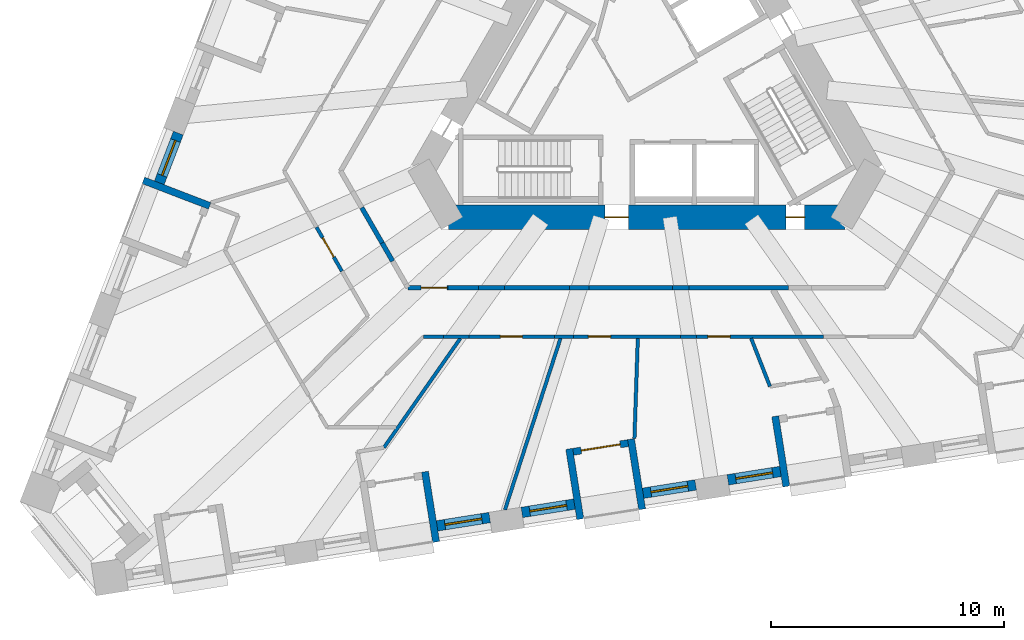
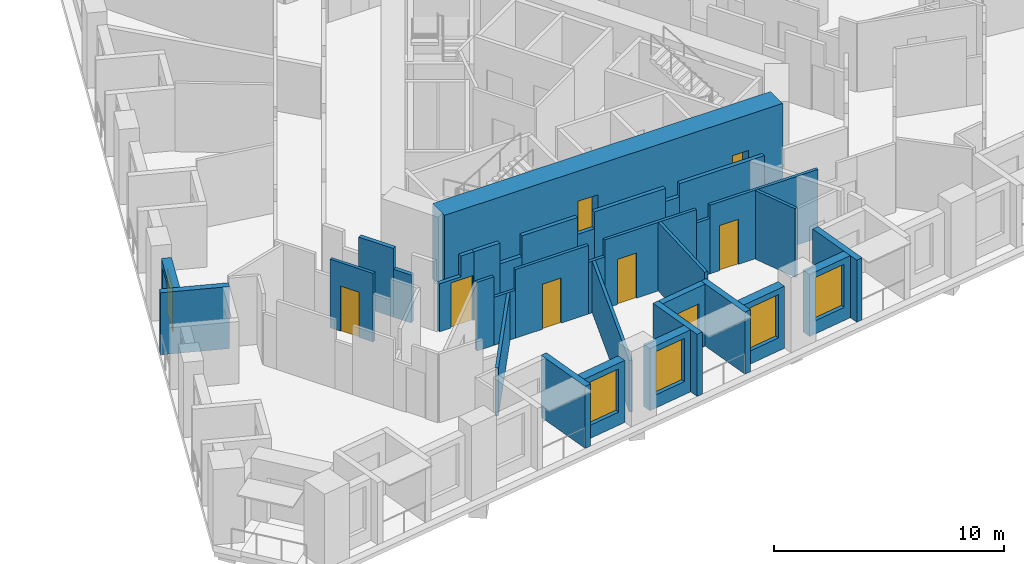
# One storey, part 3 of 14: 34 walls, 8 doors, 5 windows, 13 openings.
"""IFC4 building model written with IfcOpenShell, lengths in metres."""

from ifc_helpers import new_model, si_unit, direction, frame, frame_2d, origin, place, context, subcontext, project, spatial, polyline, rectangle, outline, extrude, material, layer, layer_set, type_object, element, fill, save


model = new_model("IFC4")

# Units and contexts
model_context = context("Model", 3, precision=1e-05, world=origin(), true_north=direction((0.0, 1.0)))
body_context = subcontext(model_context, "Body", "Model", "MODEL_VIEW")
ifc_project = project(units=[si_unit("LENGTHUNIT", "METRE"), si_unit("AREAUNIT", "SQUARE_METRE"), si_unit("VOLUMEUNIT", "CUBIC_METRE"), si_unit("PLANEANGLEUNIT", "RADIAN"), si_unit("MASSUNIT", "GRAM", prefix="KILO")], contexts=[model_context])

# Site, building, storey
site_placement = place(None, origin())
site = spatial("IfcSite", under=ifc_project, at=site_placement, CompositionType="ELEMENT")
building_placement = place(site_placement, origin())
building = spatial("IfcBuilding", under=site, at=building_placement, Name="Tramontana Tower", CompositionType="ELEMENT")
storey_placement = place(building_placement, frame((0.0, 0.0, 79.199951171875)))
storey = spatial("IfcBuildingStorey", under=building, at=storey_placement, Name="L17", CompositionType="ELEMENT", Elevation=79.199951171875)

# Wall, openings, doors
ifc_material_1 = material(Name="Concrete 70 MPa", Category="concrete")
ifc_layer_1 = layer(ifc_material_1, 1.050048828125)
ifc_layer_set_1 = layer_set([ifc_layer_1], Name="Core wall 1050 70 MPa")
wall_type_1 = type_object("IfcWallType", Name="Core wall 1050 70 MPa", PredefinedType="SHEAR", material=ifc_layer_set_1)
wall_1_placement = place(storey_placement, frame((-8.50146484375, -6.22509765625, 0.0), z_axis=(0.0, 0.0, 1.0), x_axis=(1.0, 0.0, 0.0)))
wall_1 = element("IfcWall", 1, at=wall_1_placement, inside=storey, type_object=wall_type_1, Name="Core wall C3 L17", PredefinedType="SHEAR", context=body_context, shape_type="SweptSolid", body=[
    extrude(rectangle(XDim=17.0029296875, YDim=1.050048828125, at=frame_2d((8.50146484375, 0.0))), origin(), (0.0, 0.0, 1.0), 4.0),
])
opening_1_placement = place(wall_1_placement, frame((6.70654296875, 0.0, 0.0)))
opening_1 = element("IfcOpeningElement", 2, at=opening_1_placement, cuts=wall_1, Name="Opening RG2", PredefinedType="OPENING", context=body_context, shape_type="SweptSolid", body=[
    extrude(rectangle(XDim=1.0, YDim=2.39990234375, at=frame_2d((0.5, 1.199951171875))), frame((0.0, 0.534912109375, 0.0), z_axis=(0.0, -1.0, 0.0), x_axis=(1.0, 0.0, 0.0)), (0.0, 0.0, 1.0), 1.070068359375),
])
opening_2_placement = place(wall_1_placement, frame((14.472412109375, 0.0, 0.0)))
opening_2 = element("IfcOpeningElement", 3, at=opening_2_placement, cuts=wall_1, Name="Opening PD2", PredefinedType="OPENING", context=body_context, shape_type="SweptSolid", body=[
    extrude(rectangle(XDim=0.800048828125, YDim=2.10009765625, at=frame_2d((0.39990234375, 1.050048828125))), frame((0.0, 0.534912109375, 0.0), z_axis=(0.0, -1.0, 0.0), x_axis=(1.0, 0.0, 0.0)), (0.0, 0.0, 1.0), 1.070068359375),
])
ifc_material_2 = material(Name="Painted steel", Category="steel")
door_type_1 = type_object("IfcDoorType", Name="CUPBOARD DOOR 800", OperationType="SINGLE_SWING_LEFT", PredefinedType="DOOR", material=ifc_material_2)
door_1_placement = place(opening_2_placement, origin())
door_1 = element("IfcDoor", 4, at=door_1_placement, inside=storey, type_object=door_type_1, Name="Door PD2", OperationType="SINGLE_SWING_RIGHT", OverallHeight=2.10009765625, OverallWidth=0.800048828125, PredefinedType="DOOR", context=body_context, shape_type="SweptSolid", body=[
    extrude(rectangle(XDim=0.800048828125, YDim=2.10009765625, at=frame_2d((0.39990234375, 1.050048828125))), frame((0.0, 0.02490234375, 0.0), z_axis=(0.0, -1.0, 0.0), x_axis=(1.0, 0.0, 0.0)), (0.0, 0.0, 1.0), 0.050048828125),
])
fill(opening_2, door_1)
ifc_material_3 = material(Name="Painted steel", Category="steel")
door_type_2 = type_object("IfcDoorType", Name="RING DOOR 1000", OperationType="SINGLE_SWING_LEFT", PredefinedType="DOOR", material=ifc_material_3)
door_2_placement = place(opening_1_placement, origin())
door_2 = element("IfcDoor", 5, at=door_2_placement, inside=storey, type_object=door_type_2, Name="Door RG2", OperationType="SINGLE_SWING_LEFT", OverallHeight=2.39990234375, OverallWidth=1.0, PredefinedType="DOOR", context=body_context, shape_type="SweptSolid", body=[
    extrude(rectangle(XDim=1.0, YDim=2.39990234375, at=frame_2d((0.5, 1.199951171875))), frame((0.0, 0.02490234375, 0.0), z_axis=(0.0, -1.0, 0.0), x_axis=(1.0, 0.0, 0.0)), (0.0, 0.0, 1.0), 0.050048828125),
])
fill(opening_1, door_2)

# Walls
ifc_material_4 = material(Name="Blockwork", Category="masonry")
ifc_layer_2 = layer(ifc_material_4, 0.199951171875)
ifc_layer_set_2 = layer_set([ifc_layer_2], Name="ENTRY WALL 200")
wall_type_2 = type_object("IfcWallType", Name="ENTRY WALL 200", PredefinedType="SOLIDWALL", material=ifc_layer_set_2)
wall_2_placement = place(storey_placement, frame((6.076171875, -9.25, 0.0), z_axis=(0.0, 0.0, 1.0), x_axis=(-1.0, 0.0, 0.0)))
element("IfcWall", 6, at=wall_2_placement, inside=storey, type_object=wall_type_2, Name="Wall v12-ew2-2", PredefinedType="SOLIDWALL", context=body_context, shape_type="SweptSolid", body=[
    extrude(rectangle(XDim=4.2568359375, YDim=0.199951171875, at=frame_2d((2.12841796875, 0.0))), origin(), (0.0, 0.0, 1.0), 3.650146484375),
])
wall_3_placement = place(storey_placement, frame((1.8193359375, -9.25, 0.0), z_axis=(0.0, 0.0, 1.0), x_axis=(-1.0, 0.0, 0.0)))
element("IfcWall", 7, at=wall_3_placement, inside=storey, type_object=wall_type_2, Name="Wall v12-ew2-3", PredefinedType="SOLIDWALL", context=body_context, shape_type="SweptSolid", body=[
    extrude(rectangle(XDim=0.708740234375, YDim=0.199951171875, at=frame_2d((0.3544921875, 0.0))), origin(), (0.0, 0.0, 1.0), 2.949951171875),
])
wall_4_placement = place(storey_placement, frame((1.110595703125, -9.25, 0.0), z_axis=(0.0, 0.0, 1.0), x_axis=(-1.0, 0.0, 0.0)))
element("IfcWall", 8, at=wall_4_placement, inside=storey, type_object=wall_type_2, Name="Wall v12-ew2-4", PredefinedType="SOLIDWALL", context=body_context, shape_type="SweptSolid", body=[
    extrude(rectangle(XDim=3.585205078125, YDim=0.199951171875, at=frame_2d((1.79248046875, 0.0))), origin(), (0.0, 0.0, 1.0), 3.650146484375),
])
wall_5_placement = place(storey_placement, frame((-2.474609375, -9.25, 0.0), z_axis=(0.0, 0.0, 1.0), x_axis=(-1.0, 0.0, 0.0)))
element("IfcWall", 9, at=wall_5_placement, inside=storey, type_object=wall_type_2, Name="Wall v12-ew2-5", PredefinedType="SOLIDWALL", context=body_context, shape_type="SweptSolid", body=[
    extrude(rectangle(XDim=0.838134765625, YDim=0.199951171875, at=frame_2d((0.4189453125, 0.0))), origin(), (0.0, 0.0, 1.0), 2.75),
])
wall_6_placement = place(storey_placement, frame((-3.312744140625, -9.25, 0.0), z_axis=(0.0, 0.0, 1.0), x_axis=(-1.0, 0.0, 0.0)))
element("IfcWall", 10, at=wall_6_placement, inside=storey, type_object=wall_type_2, Name="Wall v12-ew2-6", PredefinedType="SOLIDWALL", context=body_context, shape_type="SweptSolid", body=[
    extrude(rectangle(XDim=2.793701171875, YDim=0.199951171875, at=frame_2d((1.39697265625, 0.0))), origin(), (0.0, 0.0, 1.0), 3.650146484375),
])
wall_7_placement = place(storey_placement, frame((-6.1064453125, -9.25, 0.0), z_axis=(0.0, 0.0, 1.0), x_axis=(-1.0, 0.0, 0.0)))
element("IfcWall", 11, at=wall_7_placement, inside=storey, type_object=wall_type_2, Name="Wall v12-ew2-7", PredefinedType="SOLIDWALL", context=body_context, shape_type="SweptSolid", body=[
    extrude(rectangle(XDim=1.10888671875, YDim=0.199951171875, at=frame_2d((0.554443359375, 0.0))), origin(), (0.0, 0.0, 1.0), 2.550048828125),
])
wall_8_placement = place(storey_placement, frame((-7.21533203125, -9.25, 0.0), z_axis=(0.0, 0.0, 1.0), x_axis=(-1.0, 0.0, 0.0)))
element("IfcWall", 12, at=wall_8_placement, inside=storey, type_object=wall_type_2, Name="Wall v12-ew2-8", PredefinedType="SOLIDWALL", context=body_context, shape_type="SweptSolid", body=[
    extrude(rectangle(XDim=1.3125, YDim=0.199951171875, at=frame_2d((0.65625, 0.0))), origin(), (0.0, 0.0, 1.0), 3.650146484375),
])

# Wall, opening, door
wall_9_placement = place(storey_placement, frame((-10.248046875, -9.25, 0.0), z_axis=(0.0, 0.0, 1.0), x_axis=(1.0, 0.0, 0.0)))
wall_9 = element("IfcWall", 13, at=wall_9_placement, inside=storey, type_object=wall_type_2, Name="Wall v12-ew2-9", PredefinedType="SOLIDWALL", context=body_context, shape_type="SweptSolid", body=[
    extrude(outline(polyline([(0.0, 0.0), (1.72021484375, 0.0), (1.72021484375, 3.650146484375), (1.0703125, 3.650146484375), (1.0703125, 2.550048828125), (0.0, 2.550048828125), (0.0, 0.0)])), frame((0.0, 0.10009765625, 0.0), z_axis=(0.0, -1.0, 0.0), x_axis=(1.0, 0.0, 0.0)), (0.0, 0.0, 1.0), 0.199951171875),
])
opening_3_placement = place(wall_9_placement, frame((0.570068359375, 0.0, 0.0)))
opening_3 = element("IfcOpeningElement", 14, at=opening_3_placement, cuts=wall_9, Name="Opening B1C-25", PredefinedType="OPENING", context=body_context, shape_type="SweptSolid", body=[
    extrude(rectangle(XDim=1.10009765625, YDim=2.39990234375, at=frame_2d((0.550048828125, 1.199951171875))), frame((0.0, 0.10986328125, 0.0), z_axis=(0.0, -1.0, 0.0), x_axis=(1.0, 0.0, 0.0)), (0.0, 0.0, 1.0), 0.219970703125),
])
ifc_material_5 = material(Name="Painted timber", Category="wood")
door_type_3 = type_object("IfcDoorType", Name="DOOR ENTRY 1100", OperationType="SINGLE_SWING_LEFT", PredefinedType="DOOR", material=ifc_material_5)
door_3_placement = place(opening_3_placement, origin())
door_3 = element("IfcDoor", 15, at=door_3_placement, inside=storey, type_object=door_type_3, Name="Door B1C-25", OperationType="SINGLE_SWING_LEFT", OverallHeight=2.39990234375, OverallWidth=1.10009765625, PredefinedType="DOOR", context=body_context, shape_type="SweptSolid", body=[
    extrude(rectangle(XDim=1.10009765625, YDim=2.39990234375, at=frame_2d((0.550048828125, 1.199951171875))), frame((0.0, 0.02490234375, 0.0), z_axis=(0.0, -1.0, 0.0), x_axis=(1.0, 0.0, 0.0)), (0.0, 0.0, 1.0), 0.050048828125),
])
fill(opening_3, door_3)

# Walls
wall_10_placement = place(storey_placement, frame((-10.904296875, -8.11328125, 0.0), z_axis=(0.0, 0.0, 1.0), x_axis=(-0.499948710669, 0.866055013668, 0.0)))
element("IfcWall", 16, at=wall_10_placement, inside=storey, type_object=wall_type_2, Name="Wall v12-ew3-2", PredefinedType="SOLIDWALL", context=body_context, shape_type="SweptSolid", body=[
    extrude(rectangle(XDim=0.90283203125, YDim=0.199951171875, at=frame_2d((0.451416015625, 0.0))), origin(), (0.0, 0.0, 1.0), 2.550048828125),
])
wall_11_placement = place(storey_placement, frame((-11.355712890625, -7.331298828125, 0.0), z_axis=(0.0, 0.0, 1.0), x_axis=(-0.50000494408, 0.866022549299, 0.0)))
element("IfcWall", 17, at=wall_11_placement, inside=storey, type_object=wall_type_2, Name="Wall v12-ew3-3", PredefinedType="SOLIDWALL", context=body_context, shape_type="SweptSolid", body=[
    extrude(rectangle(XDim=1.74560546875, YDim=0.199951171875, at=frame_2d((0.872802734375, 0.0))), origin(), (0.0, 0.0, 1.0), 3.650146484375),
])

# Wall, opening, window
ifc_material_6 = material(Name="Precast concrete 60 MPa", Category="concrete")
ifc_layer_3 = layer(ifc_material_6, 0.449951171875)
ifc_layer_set_3 = layer_set([ifc_layer_3], Name="Precast concrete 60 MPa, 450 mm")
wall_type_3 = type_object("IfcWallType", Name="EW1 Stone-faced precast wall 450", PredefinedType="SOLIDWALL", material=ifc_layer_set_3)
wall_12_placement = place(storey_placement, frame((-20.098876953125, -2.6201171875, 0.0), z_axis=(0.0, 0.0, 1.0), x_axis=(-0.358355550725, -0.933585185864, 0.0)))
wall_12 = element("IfcWall", 18, at=wall_12_placement, inside=storey, type_object=wall_type_3, Name="External wall L17 face 0 bay 5", PredefinedType="SOLIDWALL", context=body_context, shape_type="SweptSolid", body=[
    extrude(rectangle(XDim=2.282958984375, YDim=0.449951171875, at=frame_2d((1.1416015625, 0.0))), origin(), (0.0, 0.0, 1.0), 3.300048828125),
])
opening_4_placement = place(wall_12_placement, frame((0.341552734375, 0.0, 0.699951171875)))
opening_4 = element("IfcOpeningElement", 19, at=opening_4_placement, cuts=wall_12, Name="Opening M1", PredefinedType="OPENING", context=body_context, shape_type="SweptSolid", body=[
    extrude(rectangle(XDim=1.60009765625, YDim=2.300048828125, at=frame_2d((0.800048828125, 1.14990234375))), frame((0.0, 0.23486328125, 0.0), z_axis=(0.0, -1.0, 0.0), x_axis=(1.0, 0.0, 0.0)), (0.0, 0.0, 1.0), 0.469970703125),
])
ifc_material_7 = material(Name="Aluminum frame, double glazing unit", Category="aluminium")
window_type = type_object("IfcWindowType", Name="M1 Window 1.6 x 2.3", PartitioningType="SINGLE_PANEL", PredefinedType="WINDOW", material=ifc_material_7)
window_1_placement = place(opening_4_placement, origin())
window_1 = element("IfcWindow", 20, at=window_1_placement, inside=storey, type_object=window_type, Name="Window M1 L17 face 0 module 13", OverallHeight=2.300048828125, OverallWidth=1.60009765625, PartitioningType="SINGLE_PANEL", PredefinedType="WINDOW", context=body_context, shape_type="SweptSolid", body=[
    extrude(rectangle(XDim=1.60009765625, YDim=2.300048828125, at=frame_2d((0.800048828125, 1.14990234375))), frame((0.0, 0.030029296875, 0.0), z_axis=(0.0, -1.0, 0.0), x_axis=(1.0, 0.0, 0.0)), (0.0, 0.0, 1.0), 0.06005859375),
])
fill(opening_4, window_1)

wall_13_placement = place(storey_placement, frame((-8.99658203125, -19.47216796875, 0.0), z_axis=(0.0, 0.0, 1.0), x_axis=(0.987685675151, 0.156451293065, 0.0)))
wall_13 = element("IfcWall", 21, at=wall_13_placement, inside=storey, type_object=wall_type_3, Name="External wall L17 face 1 bay 2", PredefinedType="SOLIDWALL", context=body_context, shape_type="SweptSolid", body=[
    extrude(rectangle(XDim=2.282958984375, YDim=0.449951171875, at=frame_2d((1.1416015625, 0.0))), origin(), (0.0, 0.0, 1.0), 3.300048828125),
])
opening_5_placement = place(wall_13_placement, frame((0.341552734375, 0.0, 0.699951171875)))
opening_5 = element("IfcOpeningElement", 22, at=opening_5_placement, cuts=wall_13, Name="Opening M1", PredefinedType="OPENING", context=body_context, shape_type="SweptSolid", body=[
    extrude(rectangle(XDim=1.60009765625, YDim=2.300048828125, at=frame_2d((0.800048828125, 1.14990234375))), frame((0.0, 0.23486328125, 0.0), z_axis=(0.0, -1.0, 0.0), x_axis=(1.0, 0.0, 0.0)), (0.0, 0.0, 1.0), 0.469970703125),
])
window_2_placement = place(opening_5_placement, origin())
window_2 = element("IfcWindow", 23, at=window_2_placement, inside=storey, type_object=window_type, Name="Window M1 L17 face 1 module 6", OverallHeight=2.300048828125, OverallWidth=1.60009765625, PartitioningType="SINGLE_PANEL", PredefinedType="WINDOW", context=body_context, shape_type="SweptSolid", body=[
    extrude(rectangle(XDim=1.60009765625, YDim=2.300048828125, at=frame_2d((0.800048828125, 1.14990234375))), frame((0.0, 0.030029296875, 0.0), z_axis=(0.0, -1.0, 0.0), x_axis=(1.0, 0.0, 0.0)), (0.0, 0.0, 1.0), 0.06005859375),
])
fill(opening_5, window_2)

wall_14_placement = place(storey_placement, frame((-5.35888671875, -18.89599609375, 0.0), z_axis=(0.0, 0.0, 1.0), x_axis=(0.987685675151, 0.156451293065, 0.0)))
wall_14 = element("IfcWall", 24, at=wall_14_placement, inside=storey, type_object=wall_type_3, Name="External wall L17 face 1 bay 3", PredefinedType="SOLIDWALL", context=body_context, shape_type="SweptSolid", body=[
    extrude(rectangle(XDim=2.282958984375, YDim=0.449951171875, at=frame_2d((1.1416015625, 0.0))), origin(), (0.0, 0.0, 1.0), 3.300048828125),
])
opening_6_placement = place(wall_14_placement, frame((0.341552734375, 0.0, 0.699951171875)))
opening_6 = element("IfcOpeningElement", 25, at=opening_6_placement, cuts=wall_14, Name="Opening M1", PredefinedType="OPENING", context=body_context, shape_type="SweptSolid", body=[
    extrude(rectangle(XDim=1.60009765625, YDim=2.300048828125, at=frame_2d((0.800048828125, 1.14990234375))), frame((0.0, 0.23486328125, 0.0), z_axis=(0.0, -1.0, 0.0), x_axis=(1.0, 0.0, 0.0)), (0.0, 0.0, 1.0), 0.469970703125),
])
window_3_placement = place(opening_6_placement, origin())
window_3 = element("IfcWindow", 26, at=window_3_placement, inside=storey, type_object=window_type, Name="Window M1 L17 face 1 module 7", OverallHeight=2.300048828125, OverallWidth=1.60009765625, PartitioningType="SINGLE_PANEL", PredefinedType="WINDOW", context=body_context, shape_type="SweptSolid", body=[
    extrude(rectangle(XDim=1.60009765625, YDim=2.300048828125, at=frame_2d((0.800048828125, 1.14990234375))), frame((0.0, 0.030029296875, 0.0), z_axis=(0.0, -1.0, 0.0), x_axis=(1.0, 0.0, 0.0)), (0.0, 0.0, 1.0), 0.06005859375),
])
fill(opening_6, window_3)

wall_15_placement = place(storey_placement, frame((-0.15771484375, -18.072265625, 0.0), z_axis=(0.0, 0.0, 1.0), x_axis=(0.987685675151, 0.156451293065, 0.0)))
wall_15 = element("IfcWall", 27, at=wall_15_placement, inside=storey, type_object=wall_type_3, Name="External wall L17 face 1 bay 3", PredefinedType="SOLIDWALL", context=body_context, shape_type="SweptSolid", body=[
    extrude(rectangle(XDim=2.282958984375, YDim=0.449951171875, at=frame_2d((1.1416015625, 0.0))), origin(), (0.0, 0.0, 1.0), 3.300048828125),
])
opening_7_placement = place(wall_15_placement, frame((0.341552734375, 0.0, 0.699951171875)))
opening_7 = element("IfcOpeningElement", 28, at=opening_7_placement, cuts=wall_15, Name="Opening M1", PredefinedType="OPENING", context=body_context, shape_type="SweptSolid", body=[
    extrude(rectangle(XDim=1.60009765625, YDim=2.300048828125, at=frame_2d((0.800048828125, 1.14990234375))), frame((0.0, 0.23486328125, 0.0), z_axis=(0.0, -1.0, 0.0), x_axis=(1.0, 0.0, 0.0)), (0.0, 0.0, 1.0), 0.469970703125),
])
window_4_placement = place(opening_7_placement, origin())
window_4 = element("IfcWindow", 29, at=window_4_placement, inside=storey, type_object=window_type, Name="Window M1 L17 face 1 module 9", OverallHeight=2.300048828125, OverallWidth=1.60009765625, PartitioningType="SINGLE_PANEL", PredefinedType="WINDOW", context=body_context, shape_type="SweptSolid", body=[
    extrude(rectangle(XDim=1.60009765625, YDim=2.300048828125, at=frame_2d((0.800048828125, 1.14990234375))), frame((0.0, 0.030029296875, 0.0), z_axis=(0.0, -1.0, 0.0), x_axis=(1.0, 0.0, 0.0)), (0.0, 0.0, 1.0), 0.06005859375),
])
fill(opening_7, window_4)

wall_16_placement = place(storey_placement, frame((3.479736328125, -17.49609375, 0.0), z_axis=(0.0, 0.0, 1.0), x_axis=(0.987685675151, 0.156451293065, 0.0)))
wall_16 = element("IfcWall", 30, at=wall_16_placement, inside=storey, type_object=wall_type_3, Name="External wall L17 face 1 bay 4", PredefinedType="SOLIDWALL", context=body_context, shape_type="SweptSolid", body=[
    extrude(rectangle(XDim=2.282958984375, YDim=0.449951171875, at=frame_2d((1.1416015625, 0.0))), origin(), (0.0, 0.0, 1.0), 3.300048828125),
])
opening_8_placement = place(wall_16_placement, frame((0.341552734375, 0.0, 0.699951171875)))
opening_8 = element("IfcOpeningElement", 31, at=opening_8_placement, cuts=wall_16, Name="Opening M1", PredefinedType="OPENING", context=body_context, shape_type="SweptSolid", body=[
    extrude(rectangle(XDim=1.60009765625, YDim=2.300048828125, at=frame_2d((0.800048828125, 1.14990234375))), frame((0.0, 0.23486328125, 0.0), z_axis=(0.0, -1.0, 0.0), x_axis=(1.0, 0.0, 0.0)), (0.0, 0.0, 1.0), 0.469970703125),
])
window_5_placement = place(opening_8_placement, origin())
window_5 = element("IfcWindow", 32, at=window_5_placement, inside=storey, type_object=window_type, Name="Window M1 L17 face 1 module 10", OverallHeight=2.300048828125, OverallWidth=1.60009765625, PartitioningType="SINGLE_PANEL", PredefinedType="WINDOW", context=body_context, shape_type="SweptSolid", body=[
    extrude(rectangle(XDim=1.60009765625, YDim=2.300048828125, at=frame_2d((0.800048828125, 1.14990234375))), frame((0.0, 0.030029296875, 0.0), z_axis=(0.0, -1.0, 0.0), x_axis=(1.0, 0.0, 0.0)), (0.0, 0.0, 1.0), 0.06005859375),
])
fill(opening_8, window_5)

# Walls
ifc_material_8 = material(Name="Precast concrete 60 MPa", Category="concrete")
ifc_layer_4 = layer(ifc_material_8, 0.300048828125)
ifc_layer_set_4 = layer_set([ifc_layer_4], Name="LW1 Stone-faced loggia wall 300")
wall_type_4 = type_object("IfcWallType", Name="LW1 Stone-faced loggia wall 300", PredefinedType="SOLIDWALL", material=ifc_layer_set_4)
for number, where, z_axis, x_axis, name in (
    (33, (-21.60107421875, -4.649658203125, 0.0), (0.0, 0.0, 1.0), (0.933580593625, -0.358367514161, 0.0), "Loggia return L17 G1S0.13a"),
    (34, (-9.0390625, -20.162353515625, 0.0), (0.0, 0.0, 1.0), (-0.156488687365, 0.987679751097, 0.0), "Loggia return L17 G1S1.4b"),
):
    element("IfcWall", number, at=place(storey_placement, frame(where, z_axis=z_axis, x_axis=x_axis)), inside=storey, type_object=wall_type_4, Name=name, PredefinedType="SOLIDWALL", context=body_context, shape_type="SweptSolid", body=[
        extrude(rectangle(XDim=3.050048828125, YDim=0.300048828125, at=frame_2d((1.52490234375, 0.0))), origin(), (0.0, 0.0, 1.0), 3.300048828125),
    ])

# Wall, opening, door
wall_17_placement = place(storey_placement, frame((-3.15576171875, -16.294189453125, 0.0), z_axis=(0.0, 0.0, 1.0), x_axis=(0.987685586014, 0.156451855793, 0.0)))
wall_17 = element("IfcWall", 35, at=wall_17_placement, inside=storey, type_object=wall_type_4, Name="Loggia wall L17 G1S1.7", PredefinedType="SOLIDWALL", context=body_context, shape_type="SweptSolid", body=[
    extrude(rectangle(XDim=2.3828125, YDim=0.300048828125, at=frame_2d((1.19140625, 0.0))), origin(), (0.0, 0.0, 1.0), 3.300048828125),
])
opening_9_placement = place(wall_17_placement, frame((0.341552734375, 0.0, 0.0)))
opening_9 = element("IfcOpeningElement", 36, at=opening_9_placement, cuts=wall_17, Name="Opening BD-1S1-07", PredefinedType="OPENING", context=body_context, shape_type="SweptSolid", body=[
    extrude(rectangle(XDim=1.699951171875, YDim=2.39990234375, at=frame_2d((0.85009765625, 1.199951171875))), frame((0.0, 0.159912109375, 0.0), z_axis=(0.0, -1.0, 0.0), x_axis=(1.0, 0.0, 0.0)), (0.0, 0.0, 1.0), 0.320068359375),
])
ifc_material_9 = material(Name="Aluminum frame, double glazing unit", Category="aluminium")
door_type_4 = type_object("IfcDoorType", Name="BD1 Sliding door 1.7 x 2.4", OperationType="SLIDING_TO_LEFT", PredefinedType="DOOR", material=ifc_material_9)
door_4_placement = place(opening_9_placement, origin())
door_4 = element("IfcDoor", 37, at=door_4_placement, inside=storey, type_object=door_type_4, Name="Loggia door L17 G1S1.7", OperationType="SLIDING_TO_LEFT", OverallHeight=2.39990234375, OverallWidth=1.699951171875, PredefinedType="DOOR", context=body_context, shape_type="SweptSolid", body=[
    extrude(rectangle(XDim=1.699951171875, YDim=2.39990234375, at=frame_2d((0.85009765625, 1.199951171875))), frame((0.0, 0.02490234375, 0.0), z_axis=(0.0, -1.0, 0.0), x_axis=(1.0, 0.0, 0.0)), (0.0, 0.0, 1.0), 0.050048828125),
])
fill(opening_9, door_4)

# Walls
for number, where, z_axis, x_axis, name in (
    (38, (-2.850341796875, -19.18212890625, 0.0), (0.0, 0.0, 1.0), (-0.156410600741, 0.987692120033, 0.0), "Loggia return L17 G1S1.7a"),
    (39, (-0.200439453125, -18.762451171875, 0.0), (0.0, 0.0, 1.0), (-0.156410600741, 0.987692120033, 0.0), "Loggia return L17 G1S1.7b"),
    (40, (5.988525390625, -17.7822265625, 0.0), (0.0, 0.0, 1.0), (-0.156488687365, 0.987679751097, 0.0), "Loggia return L17 G1S1.10a"),
):
    element("IfcWall", number, at=place(storey_placement, frame(where, z_axis=z_axis, x_axis=x_axis)), inside=storey, type_object=wall_type_4, Name=name, PredefinedType="SOLIDWALL", context=body_context, shape_type="SweptSolid", body=[
        extrude(rectangle(XDim=3.050048828125, YDim=0.300048828125, at=frame_2d((1.52490234375, 0.0))), origin(), (0.0, 0.0, 1.0), 3.300048828125),
    ])

# Wall, opening, door
ifc_material_10 = material(Name="Gypsum board partition")
ifc_layer_5 = layer(ifc_material_10, 0.14990234375)
ifc_layer_set_5 = layer_set([ifc_layer_5], Name="PARTITION 150")
wall_type_5 = type_object("IfcWallType", Name="PARTITION 150", PredefinedType="PARTITIONING", material=ifc_layer_set_5)
wall_18_placement = place(storey_placement, frame((-13.080810546875, -8.54345703125, 0.0), z_axis=(0.0, 0.0, 1.0), x_axis=(-0.499978335414, 0.866037911478, 0.0)))
wall_18 = element("IfcWall", 41, at=wall_18_placement, inside=storey, type_object=wall_type_5, Name="Wall v12-pw10-2", PredefinedType="PARTITIONING", context=body_context, shape_type="SweptSolid", body=[
    extrude(rectangle(XDim=2.1748046875, YDim=0.14990234375, at=frame_2d((1.08740234375, 0.0))), origin(), (0.0, 0.0, 1.0), 3.650146484375),
])
opening_10_placement = place(wall_18_placement, frame((0.702392578125, 0.0, 0.0)))
opening_10 = element("IfcOpeningElement", 42, at=opening_10_placement, cuts=wall_18, Name="Opening B1C-08", PredefinedType="OPENING", context=body_context, shape_type="SweptSolid", body=[
    extrude(rectangle(XDim=0.949951171875, YDim=2.39990234375, at=frame_2d((0.47509765625, 1.199951171875))), frame((0.0, 0.0849609375, 0.0), z_axis=(0.0, -1.0, 0.0), x_axis=(1.0, 0.0, 0.0)), (0.0, 0.0, 1.0), 0.169921875),
])
ifc_material_11 = material(Name="Painted timber", Category="wood")
door_type_5 = type_object("IfcDoorType", Name="DOOR ROOM 950", OperationType="SINGLE_SWING_LEFT", PredefinedType="DOOR", material=ifc_material_11)
door_5_placement = place(opening_10_placement, origin())
door_5 = element("IfcDoor", 43, at=door_5_placement, inside=storey, type_object=door_type_5, Name="Door B1C-08", OperationType="SINGLE_SWING_RIGHT", OverallHeight=2.39990234375, OverallWidth=0.949951171875, PredefinedType="DOOR", context=body_context, shape_type="SweptSolid", body=[
    extrude(rectangle(XDim=0.949951171875, YDim=2.39990234375, at=frame_2d((0.47509765625, 1.199951171875))), frame((0.0, 0.02490234375, 0.0), z_axis=(0.0, -1.0, 0.0), x_axis=(1.0, 0.0, 0.0)), (0.0, 0.0, 1.0), 0.050048828125),
])
fill(opening_10, door_5)

# Walls
wall_19_placement = place(storey_placement, frame((-7.9970703125, -11.425048828125, 0.0), z_axis=(0.0, 0.0, 1.0), x_axis=(-0.573453752882, -0.819237934489, 0.0)))
element("IfcWall", 44, at=wall_19_placement, inside=storey, type_object=wall_type_5, Name="Wall v12-pw15-0", PredefinedType="PARTITIONING", context=body_context, shape_type="SweptSolid", body=[
    extrude(rectangle(XDim=5.721435546875, YDim=0.14990234375, at=frame_2d((2.86083984375, 0.0))), origin(), (0.0, 0.0, 1.0), 2.550048828125),
])
wall_20_placement = place(storey_placement, frame((-3.70166015625, -11.425048828125, 0.0), z_axis=(0.0, 0.0, 1.0), x_axis=(-0.308195921166, -0.951322907417, 0.0)))
element("IfcWall", 45, at=wall_20_placement, inside=storey, type_object=wall_type_5, Name="Wall v12-pw21-0", PredefinedType="PARTITIONING", context=body_context, shape_type="SweptSolid", body=[
    extrude(rectangle(XDim=7.734619140625, YDim=0.14990234375, at=frame_2d((3.8671875, 0.0))), origin(), (0.0, 0.0, 1.0), 2.75),
])
wall_21_placement = place(storey_placement, frame((-0.384521484375, -11.425048828125, 0.0), z_axis=(0.0, 0.0, 1.0), x_axis=(-0.033639708068, -0.999434024857, 0.0)))
element("IfcWall", 46, at=wall_21_placement, inside=storey, type_object=wall_type_5, Name="Wall v12-pw23", PredefinedType="PARTITIONING", context=body_context, shape_type="SweptSolid", body=[
    extrude(rectangle(XDim=4.3037109375, YDim=0.14990234375, at=frame_2d((2.15185546875, 0.0))), origin(), (0.0, 0.0, 1.0), 3.650146484375),
])
wall_22_placement = place(storey_placement, frame((5.2861328125, -13.48876953125, 0.0), z_axis=(0.0, 0.0, 1.0), x_axis=(-0.364905955497, 0.931044383283, 0.0)))
element("IfcWall", 47, at=wall_22_placement, inside=storey, type_object=wall_type_5, Name="Wall v12-pw28", PredefinedType="PARTITIONING", context=body_context, shape_type="SweptSolid", body=[
    extrude(rectangle(XDim=2.216552734375, YDim=0.14990234375, at=frame_2d((1.1083984375, 0.0))), origin(), (0.0, 0.0, 1.0), 3.650146484375),
])

# Wall, opening, door
wall_23_placement = place(storey_placement, frame((7.582275390625, -11.35009765625, 0.0), z_axis=(0.0, 0.0, 1.0), x_axis=(-1.0, 0.0, 0.0)))
wall_23 = element("IfcWall", 48, at=wall_23_placement, inside=storey, type_object=wall_type_5, Name="Wall v12-pw34-2", PredefinedType="PARTITIONING", context=body_context, shape_type="SweptSolid", body=[
    extrude(rectangle(XDim=5.44287109375, YDim=0.14990234375, at=frame_2d((2.721435546875, 0.0))), origin(), (0.0, 0.0, 1.0), 3.650146484375),
])
opening_11_placement = place(wall_23_placement, frame((4.00830078125, 0.0, 0.0)))
opening_11 = element("IfcOpeningElement", 49, at=opening_11_placement, cuts=wall_23, Name="Opening B1C-16", PredefinedType="OPENING", context=body_context, shape_type="SweptSolid", body=[
    extrude(rectangle(XDim=0.949951171875, YDim=2.39990234375, at=frame_2d((0.47509765625, 1.199951171875))), frame((0.0, 0.0849609375, 0.0), z_axis=(0.0, -1.0, 0.0), x_axis=(1.0, 0.0, 0.0)), (0.0, 0.0, 1.0), 0.169921875),
])
door_6_placement = place(opening_11_placement, origin())
door_6 = element("IfcDoor", 50, at=door_6_placement, inside=storey, type_object=door_type_5, Name="Door B1C-16", OperationType="SINGLE_SWING_RIGHT", OverallHeight=2.39990234375, OverallWidth=0.949951171875, PredefinedType="DOOR", context=body_context, shape_type="SweptSolid", body=[
    extrude(rectangle(XDim=0.949951171875, YDim=2.39990234375, at=frame_2d((0.47509765625, 1.199951171875))), frame((0.0, 0.02490234375, 0.0), z_axis=(0.0, -1.0, 0.0), x_axis=(1.0, 0.0, 0.0)), (0.0, 0.0, 1.0), 0.050048828125),
])
fill(opening_11, door_6)

# Wall
wall_24_placement = place(storey_placement, frame((2.139404296875, -11.35009765625, 0.0), z_axis=(0.0, 0.0, 1.0), x_axis=(-1.0, 0.0, 0.0)))
element("IfcWall", 51, at=wall_24_placement, inside=storey, type_object=wall_type_5, Name="Wall v12-pw34-3", PredefinedType="PARTITIONING", context=body_context, shape_type="SweptSolid", body=[
    extrude(rectangle(XDim=0.683349609375, YDim=0.14990234375, at=frame_2d((0.341796875, 0.0))), origin(), (0.0, 0.0, 1.0), 2.949951171875),
])

# Wall, opening, door
wall_25_placement = place(storey_placement, frame((1.4560546875, -11.35009765625, 0.0), z_axis=(0.0, 0.0, 1.0), x_axis=(-1.0, 0.0, 0.0)))
wall_25 = element("IfcWall", 52, at=wall_25_placement, inside=storey, type_object=wall_type_5, Name="Wall v12-pw34-4", PredefinedType="PARTITIONING", context=body_context, shape_type="SweptSolid", body=[
    extrude(rectangle(XDim=4.600830078125, YDim=0.14990234375, at=frame_2d((2.30029296875, 0.0))), origin(), (0.0, 0.0, 1.0), 3.650146484375),
])
opening_12_placement = place(wall_25_placement, frame((3.0107421875, 0.0, 0.0)))
opening_12 = element("IfcOpeningElement", 53, at=opening_12_placement, cuts=wall_25, Name="Opening B1C-15", PredefinedType="OPENING", context=body_context, shape_type="SweptSolid", body=[
    extrude(rectangle(XDim=0.949951171875, YDim=2.39990234375, at=frame_2d((0.47509765625, 1.199951171875))), frame((0.0, 0.0849609375, 0.0), z_axis=(0.0, -1.0, 0.0), x_axis=(1.0, 0.0, 0.0)), (0.0, 0.0, 1.0), 0.169921875),
])
door_7_placement = place(opening_12_placement, origin())
door_7 = element("IfcDoor", 54, at=door_7_placement, inside=storey, type_object=door_type_5, Name="Door B1C-15", OperationType="SINGLE_SWING_LEFT", OverallHeight=2.39990234375, OverallWidth=0.949951171875, PredefinedType="DOOR", context=body_context, shape_type="SweptSolid", body=[
    extrude(rectangle(XDim=0.949951171875, YDim=2.39990234375, at=frame_2d((0.47509765625, 1.199951171875))), frame((0.0, 0.02490234375, 0.0), z_axis=(0.0, -1.0, 0.0), x_axis=(1.0, 0.0, 0.0)), (0.0, 0.0, 1.0), 0.050048828125),
])
fill(opening_12, door_7)

# Wall
wall_26_placement = place(storey_placement, frame((-3.144775390625, -11.35009765625, 0.0), z_axis=(0.0, 0.0, 1.0), x_axis=(-1.0, 0.0, 0.0)))
element("IfcWall", 55, at=wall_26_placement, inside=storey, type_object=wall_type_5, Name="Wall v12-pw34-5", PredefinedType="PARTITIONING", context=body_context, shape_type="SweptSolid", body=[
    extrude(rectangle(XDim=0.81201171875, YDim=0.14990234375, at=frame_2d((0.406005859375, 0.0))), origin(), (0.0, 0.0, 1.0), 2.75),
])

# Wall, opening, door
wall_27_placement = place(storey_placement, frame((-3.956787109375, -11.35009765625, 0.0), z_axis=(0.0, 0.0, 1.0), x_axis=(-1.0, 0.0, 0.0)))
wall_27 = element("IfcWall", 56, at=wall_27_placement, inside=storey, type_object=wall_type_5, Name="Wall v12-pw34-6", PredefinedType="PARTITIONING", context=body_context, shape_type="SweptSolid", body=[
    extrude(rectangle(XDim=3.67724609375, YDim=0.14990234375, at=frame_2d((1.838623046875, 0.0))), origin(), (0.0, 0.0, 1.0), 3.650146484375),
])
opening_13_placement = place(wall_27_placement, frame((1.37939453125, 0.0, 0.0)))
opening_13 = element("IfcOpeningElement", 57, at=opening_13_placement, cuts=wall_27, Name="Opening B1C-14", PredefinedType="OPENING", context=body_context, shape_type="SweptSolid", body=[
    extrude(rectangle(XDim=0.949951171875, YDim=2.39990234375, at=frame_2d((0.47509765625, 1.199951171875))), frame((0.0, 0.0849609375, 0.0), z_axis=(0.0, -1.0, 0.0), x_axis=(1.0, 0.0, 0.0)), (0.0, 0.0, 1.0), 0.169921875),
])
door_8_placement = place(opening_13_placement, origin())
door_8 = element("IfcDoor", 58, at=door_8_placement, inside=storey, type_object=door_type_5, Name="Door B1C-14", OperationType="SINGLE_SWING_RIGHT", OverallHeight=2.39990234375, OverallWidth=0.949951171875, PredefinedType="DOOR", context=body_context, shape_type="SweptSolid", body=[
    extrude(rectangle(XDim=0.949951171875, YDim=2.39990234375, at=frame_2d((0.47509765625, 1.199951171875))), frame((0.0, 0.02490234375, 0.0), z_axis=(0.0, -1.0, 0.0), x_axis=(1.0, 0.0, 0.0)), (0.0, 0.0, 1.0), 0.050048828125),
])
fill(opening_13, door_8)

# Walls
wall_28_placement = place(storey_placement, frame((-7.634033203125, -11.35009765625, 0.0), z_axis=(0.0, 0.0, 1.0), x_axis=(-1.0, 0.0, 0.0)))
element("IfcWall", 59, at=wall_28_placement, inside=storey, type_object=wall_type_5, Name="Wall v12-pw34-7", PredefinedType="PARTITIONING", context=body_context, shape_type="SweptSolid", body=[
    extrude(rectangle(XDim=1.078125, YDim=0.14990234375, at=frame_2d((0.5390625, 0.0))), origin(), (0.0, 0.0, 1.0), 2.550048828125),
])
wall_29_placement = place(storey_placement, frame((-8.712158203125, -11.35009765625, 0.0), z_axis=(0.0, 0.0, 1.0), x_axis=(-1.0, 0.0, 0.0)))
element("IfcWall", 60, at=wall_29_placement, inside=storey, type_object=wall_type_5, Name="Wall v12-pw34-8", PredefinedType="PARTITIONING", context=body_context, shape_type="SweptSolid", body=[
    extrude(rectangle(XDim=0.872314453125, YDim=0.14990234375, at=frame_2d((0.43603515625, 0.0))), origin(), (0.0, 0.0, 1.0), 3.650146484375),
])

save(model, "model.ifc")
